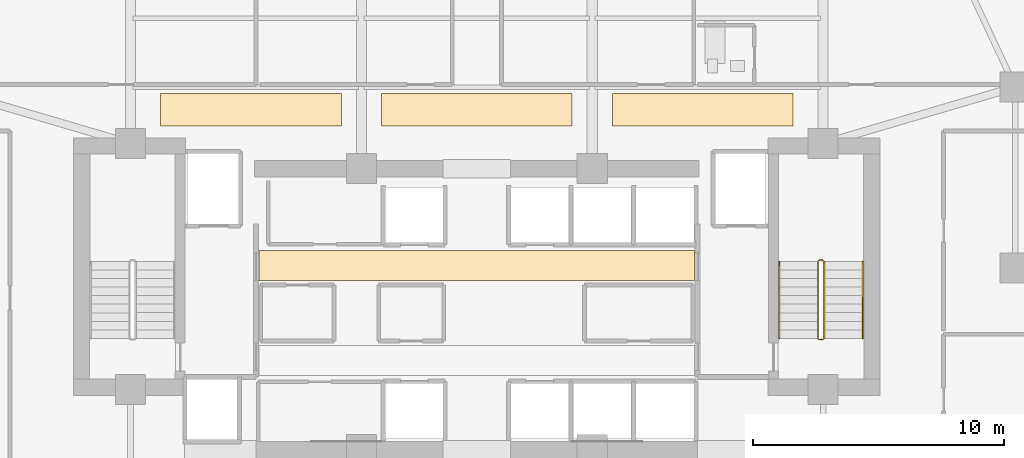
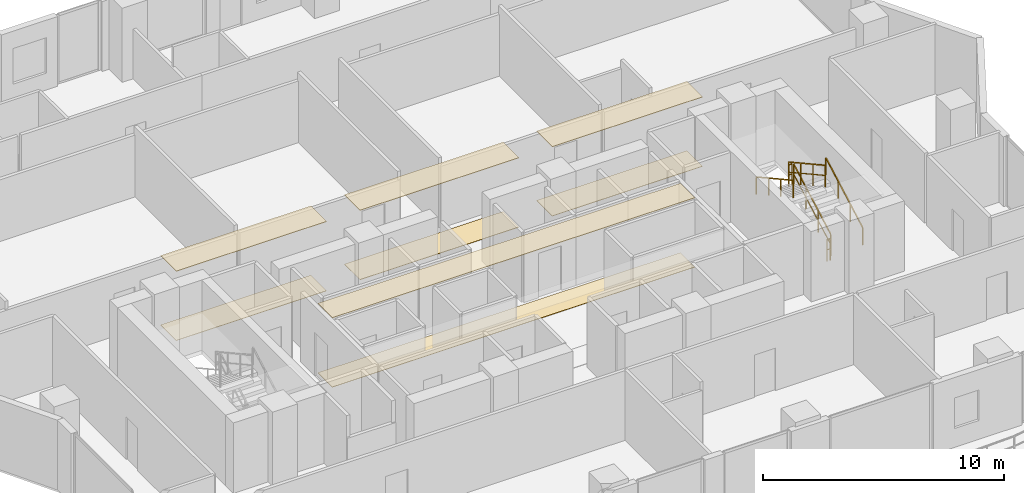
# One storey, part 31 of 33: 8 coverings, 6 railings.
"""IFC4 building model written with IfcOpenShell, lengths in metres."""

from ifc_helpers import new_model, si_unit, direction, frame, origin, origin_2d, place, context, subcontext, project, spatial, polyline, rectangle, outline, extrude, material, layer, layer_set, type_object, element, save


model = new_model("IFC4")

# Units and contexts
model_context = context("Model", 3, precision=1e-05, world=origin(), true_north=direction((0.0, 1.0)))
body_context = subcontext(model_context, "Body", "Model", "MODEL_VIEW")
ifc_project = project(units=[si_unit("LENGTHUNIT", "METRE"), si_unit("AREAUNIT", "SQUARE_METRE"), si_unit("VOLUMEUNIT", "CUBIC_METRE"), si_unit("PLANEANGLEUNIT", "RADIAN"), si_unit("MASSUNIT", "GRAM", prefix="KILO")], contexts=[model_context])

# Site, building, storey
site_placement = place(None, origin())
site = spatial("IfcSite", under=ifc_project, at=site_placement, CompositionType="ELEMENT")
building_placement = place(site_placement, origin())
building = spatial("IfcBuilding", under=site, at=building_placement, Name="Zuhayl Quay Hotel", CompositionType="ELEMENT")
storey_placement = place(building_placement, frame((0.0, 0.0, 211.14990234375)))
storey = spatial("IfcBuildingStorey", under=building, at=storey_placement, Name="L53", CompositionType="ELEMENT", Elevation=211.14990234375)

# Coverings
ifc_material_1 = material(Name="Acoustic Mineral-Fibre Gypsum Board")
ifc_layer_1 = layer(ifc_material_1, 0.02490234375, Name="Acoustic Mineral-Fibre Gypsum Board")
ifc_layer_set_1 = layer_set([ifc_layer_1], Name="Acoustic Mineral-Fibre Gypsum Board")
covering_type_1 = type_object("IfcCoveringType", Name="CV_CEIL_ACOUSTIC", PredefinedType="CEILING", material=ifc_layer_set_1)
covering_1_placement = place(storey_placement, frame((0.0, 0.0, 3.505126953125)))
element("IfcCovering", 1, at=covering_1_placement, inside=storey, type_object=covering_type_1, Name="L53 Suspended Acoustic Lobby Ceiling N", PredefinedType="CEILING", context=body_context, shape_type="SweptSolid", body=[
    extrude(outline(polyline([(-8.679931640625, 8.89990234375), (8.679931640625, 8.89990234375), (8.679931640625, 10.10009765625), (-8.679931640625, 10.10009765625), (-8.679931640625, 8.89990234375)])), origin(), (0.0, 0.0, 1.0), 0.02490234375),
])
covering_2_placement = place(storey_placement, frame((0.0, 0.0, 3.505126953125)))
element("IfcCovering", 2, at=covering_2_placement, inside=storey, type_object=covering_type_1, Name="L53 Guest Corridor Acoustic Ceiling CW", PredefinedType="CEILING", context=body_context, shape_type="SweptSolid", body=[
    extrude(outline(polyline([(-12.60009765625, 15.050048828125), (-5.39990234375, 15.050048828125), (-5.39990234375, 16.35009765625), (-12.60009765625, 16.35009765625), (-12.60009765625, 15.050048828125)])), origin(), (0.0, 0.0, 1.0), 0.02490234375),
])
covering_3_placement = place(storey_placement, frame((0.0, 0.0, 3.505126953125)))
element("IfcCovering", 3, at=covering_3_placement, inside=storey, type_object=covering_type_1, Name="L53 Guest Corridor Acoustic Ceiling CC", PredefinedType="CEILING", context=body_context, shape_type="SweptSolid", body=[
    extrude(outline(polyline([(-3.800048828125, 15.050048828125), (3.800048828125, 15.050048828125), (3.800048828125, 16.35009765625), (-3.800048828125, 16.35009765625), (-3.800048828125, 15.050048828125)])), origin(), (0.0, 0.0, 1.0), 0.02490234375),
])
covering_4_placement = place(storey_placement, frame((0.0, 0.0, 3.505126953125)))
element("IfcCovering", 4, at=covering_4_placement, inside=storey, type_object=covering_type_1, Name="L53 Guest Corridor Acoustic Ceiling CE", PredefinedType="CEILING", context=body_context, shape_type="SweptSolid", body=[
    extrude(outline(polyline([(5.39990234375, 15.050048828125), (12.60009765625, 15.050048828125), (12.60009765625, 16.35009765625), (5.39990234375, 16.35009765625), (5.39990234375, 15.050048828125)])), origin(), (0.0, 0.0, 1.0), 0.02490234375),
])
ifc_material_2 = material(Name="Polished Limestone Terrazzo", Category="masonry")
ifc_layer_2 = layer(ifc_material_2, 0.02001953125, Name="Polished Limestone Terrazzo", Category="masonry")
ifc_layer_set_2 = layer_set([ifc_layer_2], Name="Polished Limestone Terrazzo")
covering_type_2 = type_object("IfcCoveringType", Name="CV_FLOOR_TERRAZZO", PredefinedType="FLOORING", material=ifc_layer_set_2)
covering_5_placement = place(storey_placement, origin())
element("IfcCovering", 5, at=covering_5_placement, inside=storey, type_object=covering_type_2, Name="L53 Honed Limestone Terrazzo Lobby Flooring N", PredefinedType="FLOORING", context=body_context, shape_type="SweptSolid", body=[
    extrude(outline(polyline([(-8.679931640625, 8.89990234375), (8.679931640625, 8.89990234375), (8.679931640625, 10.10009765625), (-8.679931640625, 10.10009765625), (-8.679931640625, 8.89990234375)])), origin(), (0.0, 0.0, 1.0), 0.02001953125),
])
covering_6_placement = place(storey_placement, origin())
element("IfcCovering", 6, at=covering_6_placement, inside=storey, type_object=covering_type_2, Name="L53 Guest Corridor Terrazzo Runner CW", PredefinedType="FLOORING", context=body_context, shape_type="SweptSolid", body=[
    extrude(outline(polyline([(-12.60009765625, 15.050048828125), (-5.39990234375, 15.050048828125), (-5.39990234375, 16.35009765625), (-12.60009765625, 16.35009765625), (-12.60009765625, 15.050048828125)])), origin(), (0.0, 0.0, 1.0), 0.02001953125),
])
covering_7_placement = place(storey_placement, origin())
element("IfcCovering", 7, at=covering_7_placement, inside=storey, type_object=covering_type_2, Name="L53 Guest Corridor Terrazzo Runner CC", PredefinedType="FLOORING", context=body_context, shape_type="SweptSolid", body=[
    extrude(outline(polyline([(-3.800048828125, 15.050048828125), (3.800048828125, 15.050048828125), (3.800048828125, 16.35009765625), (-3.800048828125, 16.35009765625), (-3.800048828125, 15.050048828125)])), origin(), (0.0, 0.0, 1.0), 0.02001953125),
])
covering_8_placement = place(storey_placement, origin())
element("IfcCovering", 8, at=covering_8_placement, inside=storey, type_object=covering_type_2, Name="L53 Guest Corridor Terrazzo Runner CE", PredefinedType="FLOORING", context=body_context, shape_type="SweptSolid", body=[
    extrude(outline(polyline([(5.39990234375, 15.050048828125), (12.60009765625, 15.050048828125), (12.60009765625, 16.35009765625), (5.39990234375, 16.35009765625), (5.39990234375, 15.050048828125)])), origin(), (0.0, 0.0, 1.0), 0.02001953125),
])

# Railings
ifc_material_3 = material(Name="Steel ASTM A992 Grade 50", Category="steel")
railing_type_1 = type_object("IfcRailingType", Name="RL_GUARD_1100", PredefinedType="GUARDRAIL", material=ifc_material_3)
railing_1_placement = place(storey_placement, frame((13.840087890625, 6.590087890625, 0.1875)))
element("IfcRailing", 9, at=railing_1_placement, inside=storey, type_object=railing_type_1, Name="L53 ST2 stair guard 1", PredefinedType="GUARDRAIL", context=body_context, shape_type="SweptSolid", body=[
    extrude(rectangle(XDim=0.048095703125, YDim=0.048095703125, at=origin_2d()), frame((0.0, 0.0, 1.09619140625), z_axis=(0.0, 0.875659195171, 0.482929574485), x_axis=(-1.0, 0.0, 0.0)), (0.0, 0.0, 1.0), 3.494384765625),
    extrude(rectangle(XDim=0.0361328125, YDim=0.0361328125, at=origin_2d()), frame((0.0, 0.0, 0.58251953125), z_axis=(0.0, 0.875659195171, 0.482929574485), x_axis=(-1.0, 0.0, 0.0)), (0.0, 0.0, 1.0), 3.494384765625),
    extrude(rectangle(XDim=0.0419921875, YDim=0.0419921875, at=origin_2d()), origin(), (0.0, 0.0, 1.0), 1.072021484375),
    extrude(rectangle(XDim=0.0419921875, YDim=0.0419921875, at=origin_2d()), frame((0.0, 1.02001953125, 0.5625)), (0.0, 0.0, 1.0), 1.072021484375),
    extrude(rectangle(XDim=0.0419921875, YDim=0.0419921875, at=origin_2d()), frame((0.0, 2.039794921875, 1.125)), (0.0, 0.0, 1.0), 1.072021484375),
    extrude(rectangle(XDim=0.0419921875, YDim=0.0419921875, at=origin_2d()), frame((0.0, 3.059814453125, 1.6875)), (0.0, 0.0, 1.0), 1.072021484375),
])
railing_2_placement = place(storey_placement, frame((13.7900390625, 9.699951171875, 1.875)))
element("IfcRailing", 10, at=railing_2_placement, inside=storey, type_object=railing_type_1, Name="L53 ST2 stair guard 2", PredefinedType="GUARDRAIL", context=body_context, shape_type="SweptSolid", body=[
    extrude(rectangle(XDim=0.048095703125, YDim=0.048095703125, at=origin_2d()), frame((0.0, 0.0, 1.09619140625), z_axis=(-1.0, 0.0, 0.0), x_axis=(0.0, -1.0, 0.0)), (0.0, 0.0, 1.0), 0.150146484375),
    extrude(rectangle(XDim=0.0361328125, YDim=0.0361328125, at=origin_2d()), frame((0.0, 0.0, 0.58251953125), z_axis=(-1.0, 0.0, 0.0), x_axis=(0.0, -1.0, 0.0)), (0.0, 0.0, 1.0), 0.150146484375),
    extrude(rectangle(XDim=0.0419921875, YDim=0.0419921875, at=origin_2d()), origin(), (0.0, 0.0, 1.0), 1.072021484375),
    extrude(rectangle(XDim=0.0419921875, YDim=0.0419921875, at=origin_2d()), frame((-0.150146484375, 0.0, 0.0)), (0.0, 0.0, 1.0), 1.072021484375),
])
railing_3_placement = place(storey_placement, frame((13.590087890625, 9.64990234375, 2.0625)))
element("IfcRailing", 11, at=railing_3_placement, inside=storey, type_object=railing_type_1, Name="L53 ST2 stair guard 3", PredefinedType="GUARDRAIL", context=body_context, shape_type="SweptSolid", body=[
    extrude(rectangle(XDim=0.048095703125, YDim=0.048095703125, at=origin_2d()), frame((0.0, 0.0, 1.09619140625), z_axis=(0.0, -0.875659195171, 0.482929574485), x_axis=(1.0, 0.0, 0.0)), (0.0, 0.0, 1.0), 3.494384765625),
    extrude(rectangle(XDim=0.0361328125, YDim=0.0361328125, at=origin_2d()), frame((0.0, 0.0, 0.58251953125), z_axis=(0.0, -0.875659195171, 0.482929574485), x_axis=(1.0, 0.0, 0.0)), (0.0, 0.0, 1.0), 3.494384765625),
    extrude(rectangle(XDim=0.0419921875, YDim=0.0419921875, at=origin_2d()), origin(), (0.0, 0.0, 1.0), 1.072021484375),
    extrude(rectangle(XDim=0.0419921875, YDim=0.0419921875, at=origin_2d()), frame((0.0, -1.02001953125, 0.5625)), (0.0, 0.0, 1.0), 1.072021484375),
    extrude(rectangle(XDim=0.0419921875, YDim=0.0419921875, at=origin_2d()), frame((0.0, -2.039794921875, 1.125)), (0.0, 0.0, 1.0), 1.072021484375),
    extrude(rectangle(XDim=0.0419921875, YDim=0.0419921875, at=origin_2d()), frame((0.0, -3.059814453125, 1.6875)), (0.0, 0.0, 1.0), 1.072021484375),
])
railing_4_placement = place(storey_placement, frame((13.7900390625, 6.5400390625, 0.0)))
element("IfcRailing", 12, at=railing_4_placement, inside=storey, type_object=railing_type_1, Name="L53 ST2 stair guard 4", PredefinedType="GUARDRAIL", context=body_context, shape_type="SweptSolid", body=[
    extrude(rectangle(XDim=0.048095703125, YDim=0.048095703125, at=origin_2d()), frame((0.0, 0.0, 1.09619140625), z_axis=(-1.0, 0.0, 0.0), x_axis=(0.0, -1.0, 0.0)), (0.0, 0.0, 1.0), 0.150146484375),
    extrude(rectangle(XDim=0.0361328125, YDim=0.0361328125, at=origin_2d()), frame((0.0, 0.0, 0.58251953125), z_axis=(-1.0, 0.0, 0.0), x_axis=(0.0, -1.0, 0.0)), (0.0, 0.0, 1.0), 0.150146484375),
    extrude(rectangle(XDim=0.0419921875, YDim=0.0419921875, at=origin_2d()), origin(), (0.0, 0.0, 1.0), 1.072021484375),
    extrude(rectangle(XDim=0.0419921875, YDim=0.0419921875, at=origin_2d()), frame((-0.150146484375, 0.0, 0.0)), (0.0, 0.0, 1.0), 1.072021484375),
])
railing_type_2 = type_object("IfcRailingType", Name="RL_HANDRAIL_920", PredefinedType="HANDRAIL", material=ifc_material_3)
railing_5_placement = place(storey_placement, frame((15.3798828125, 6.590087890625, 0.1875)))
element("IfcRailing", 13, at=railing_5_placement, inside=storey, type_object=railing_type_2, Name="L53 ST2 stair handrail 1", PredefinedType="HANDRAIL", context=body_context, shape_type="SweptSolid", body=[
    extrude(rectangle(XDim=0.048095703125, YDim=0.048095703125, at=origin_2d()), frame((0.0, 0.0, 0.8759765625), z_axis=(0.0, 0.875659195171, 0.482929574485), x_axis=(-1.0, 0.0, 0.0)), (0.0, 0.0, 1.0), 3.494384765625),
    extrude(rectangle(XDim=0.0419921875, YDim=0.0419921875, at=origin_2d()), origin(), (0.0, 0.0, 1.0), 0.851806640625),
    extrude(rectangle(XDim=0.0419921875, YDim=0.0419921875, at=origin_2d()), frame((0.0, 1.02001953125, 0.5625)), (0.0, 0.0, 1.0), 0.851806640625),
    extrude(rectangle(XDim=0.0419921875, YDim=0.0419921875, at=origin_2d()), frame((0.0, 2.039794921875, 1.125)), (0.0, 0.0, 1.0), 0.851806640625),
    extrude(rectangle(XDim=0.0419921875, YDim=0.0419921875, at=origin_2d()), frame((0.0, 3.059814453125, 1.6875)), (0.0, 0.0, 1.0), 0.851806640625),
])
railing_6_placement = place(storey_placement, frame((12.050048828125, 9.64990234375, 2.0625)))
element("IfcRailing", 14, at=railing_6_placement, inside=storey, type_object=railing_type_2, Name="L53 ST2 stair handrail 2", PredefinedType="HANDRAIL", context=body_context, shape_type="SweptSolid", body=[
    extrude(rectangle(XDim=0.048095703125, YDim=0.048095703125, at=origin_2d()), frame((0.0, 0.0, 0.8759765625), z_axis=(0.0, -0.875659195171, 0.482929574485), x_axis=(1.0, 0.0, 0.0)), (0.0, 0.0, 1.0), 3.494384765625),
    extrude(rectangle(XDim=0.0419921875, YDim=0.0419921875, at=origin_2d()), origin(), (0.0, 0.0, 1.0), 0.851806640625),
    extrude(rectangle(XDim=0.0419921875, YDim=0.0419921875, at=origin_2d()), frame((0.0, -1.02001953125, 0.5625)), (0.0, 0.0, 1.0), 0.851806640625),
    extrude(rectangle(XDim=0.0419921875, YDim=0.0419921875, at=origin_2d()), frame((0.0, -2.039794921875, 1.125)), (0.0, 0.0, 1.0), 0.851806640625),
    extrude(rectangle(XDim=0.0419921875, YDim=0.0419921875, at=origin_2d()), frame((0.0, -3.059814453125, 1.6875)), (0.0, 0.0, 1.0), 0.851806640625),
])

save(model, "model.ifc")
